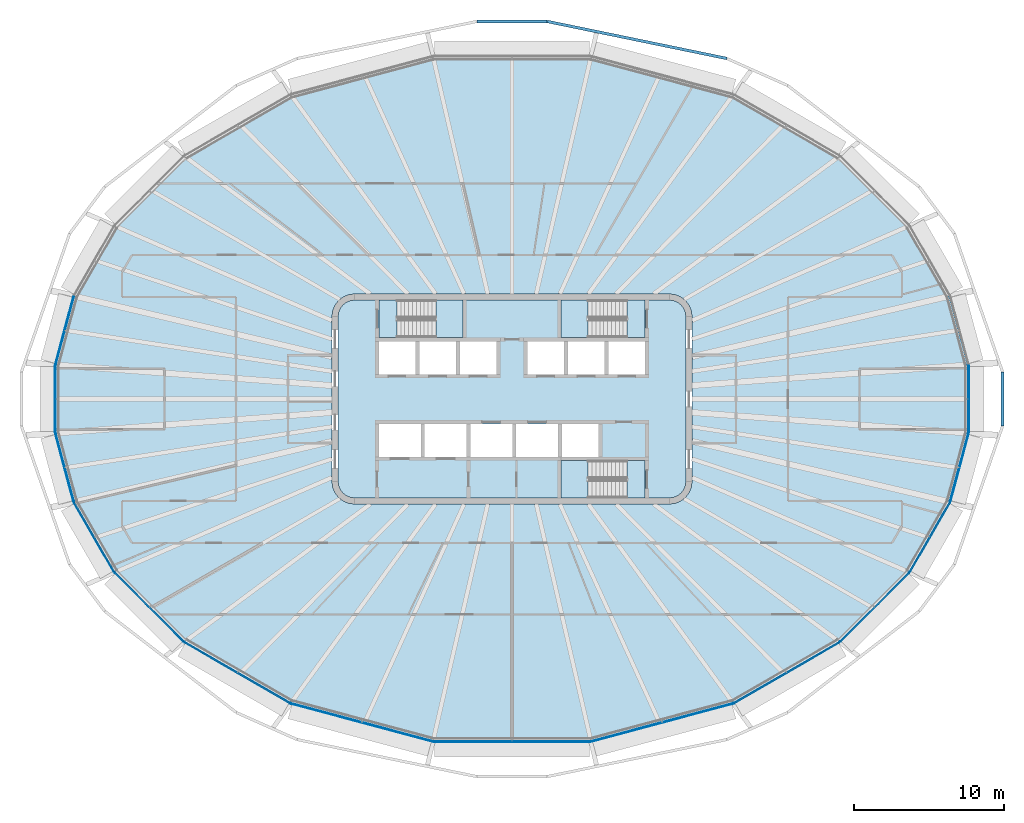
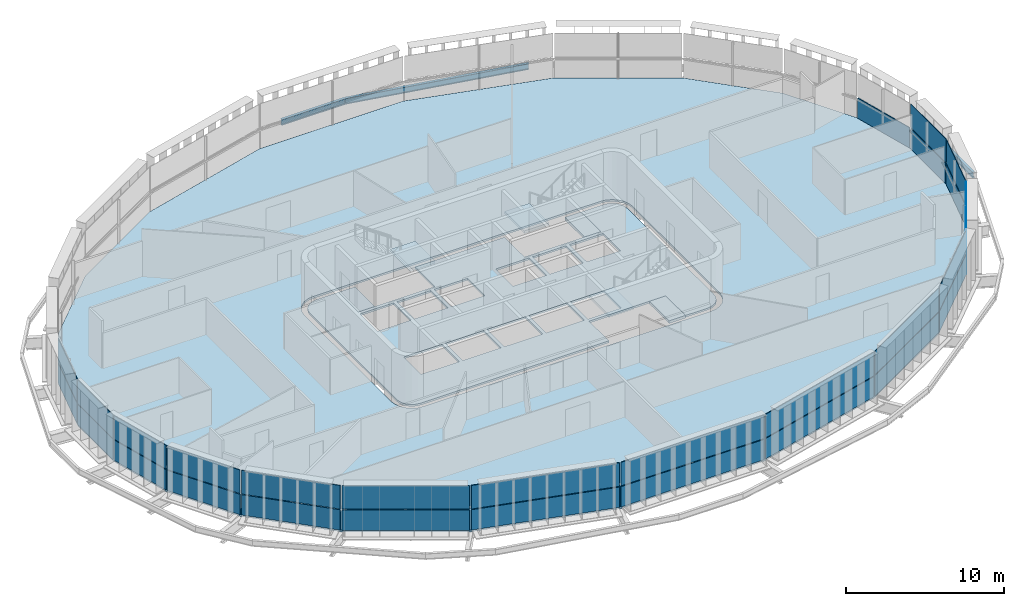
# One storey, part 9 of 20: 29 plates, 8 slabs, 3 beams, 18 elements without a shape of their own.
"""IFC4 building model written with IfcOpenShell, lengths in metres."""

from ifc_helpers import new_model, si_unit, direction, frame, origin, origin_2d, place, context, subcontext, project, spatial, polyline, i_section, outline, extrude, material, layer, layer_set, material_profile, profile_set, type_object, element, aggregate, save


model = new_model("IFC4")

# Units and contexts
model_context = context("Model", 3, precision=1e-05, world=origin(), true_north=direction((0.0, 1.0)))
body_context = subcontext(model_context, "Body", "Model", "MODEL_VIEW")
ifc_project = project(units=[si_unit("LENGTHUNIT", "METRE"), si_unit("AREAUNIT", "SQUARE_METRE"), si_unit("VOLUMEUNIT", "CUBIC_METRE"), si_unit("PLANEANGLEUNIT", "RADIAN"), si_unit("MASSUNIT", "GRAM", prefix="KILO")], contexts=[model_context])

# Site, building, storey
site_placement = place(None, origin())
site = spatial("IfcSite", under=ifc_project, at=site_placement, CompositionType="ELEMENT")
building_placement = place(site_placement, origin())
building = spatial("IfcBuilding", under=site, at=building_placement, Name="Sahrelin Media Tower", CompositionType="ELEMENT")
storey_placement = place(building_placement, frame((0.0, 0.0, 245.60009765625)))
storey = spatial("IfcBuildingStorey", under=building, at=storey_placement, Name="L53", CompositionType="ELEMENT", Elevation=245.60009765625)

# Beams
ifc_material_1 = material(Name="Steel S355", Category="steel")
ifc_material_profile = material_profile(ifc_material_1, i_section(OverallWidth=0.1904296875, OverallDepth=0.45703125, WebThickness=0.009033203125, FlangeThickness=0.014404296875, FilletRadius=0.01025390625, at=origin_2d()), Name="UB 457x191x74")
ifc_profile_set = profile_set([ifc_material_profile], Name="Steel S355")
beam_type = type_object("IfcBeamType", Name="Tie chord TC5", PredefinedType="BEAM", material=ifc_profile_set)
beam_1_placement = place(storey_placement, frame((14.3251953125, 22.700439453125, -0.378662109375), z_axis=(-0.979389071905, 0.201982785984, 0.0), x_axis=(-0.201982785984, -0.979389071905, 0.0)))
element("IfcBeam", 1, at=beam_1_placement, inside=storey, type_object=beam_type, Name="Tie chord L53-05", PredefinedType="BEAM", context=body_context, shape_type="SweptSolid", body=[
    extrude(i_section(OverallWidth=0.1904296875, OverallDepth=0.45703125, WebThickness=0.009033203125, FlangeThickness=0.014404296875, FilletRadius=0.01025390625, at=origin_2d()), origin(), (0.0, 0.0, 1.0), 12.237060546875),
])
beam_2_placement = place(storey_placement, frame((2.34033203125, 25.172119140625, -0.378662109375), z_axis=(-1.0, 0.0, 0.0), x_axis=(0.0, -1.0, 0.0)))
element("IfcBeam", 2, at=beam_2_placement, inside=storey, type_object=beam_type, Name="Tie chord L53-06", PredefinedType="BEAM", context=body_context, shape_type="SweptSolid", body=[
    extrude(i_section(OverallWidth=0.1904296875, OverallDepth=0.45703125, WebThickness=0.009033203125, FlangeThickness=0.014404296875, FilletRadius=0.01025390625, at=origin_2d()), origin(), (0.0, 0.0, 1.0), 4.6806640625),
])
beam_3_placement = place(storey_placement, frame((32.7041015625, -1.801513671875, -0.378662109375), z_axis=(0.0, 1.0, 0.0), x_axis=(-1.0, 0.0, 0.0)))
element("IfcBeam", 3, at=beam_3_placement, inside=storey, type_object=beam_type, Name="Tie chord L53-24", PredefinedType="BEAM", context=body_context, shape_type="SweptSolid", body=[
    extrude(i_section(OverallWidth=0.1904296875, OverallDepth=0.45703125, WebThickness=0.009033203125, FlangeThickness=0.014404296875, FilletRadius=0.01025390625, at=origin_2d()), origin(), (0.0, 0.0, 1.0), 3.60302734375),
])

# Slabs
ifc_material_2 = material(Name="Concrete C40/50", Category="concrete")
ifc_layer_1 = layer(ifc_material_2, 0.14990234375)
ifc_layer_set_1 = layer_set([ifc_layer_1], Name="Composite floor slab 150")
slab_type_1 = type_object("IfcSlabType", Name="Composite floor slab 150", PredefinedType="FLOOR", material=ifc_layer_set_1)
placement_1 = place(storey_placement, frame((0.0, 0.0, -0.150146484375)))
element("IfcSlab", 4, at=placement_1, inside=storey, type_object=slab_type_1, Name="Floor slab L53", PredefinedType="FLOOR", context=body_context, shape_type="SweptSolid", body=[
    extrude(outline(polyline([(30.429931640625, -2.27197265625), (30.429931640625, 2.27197265625), (29.2001953125, 6.8623046875), (26.495849609375, 11.5458984375), (21.848876953125, 16.19287109375), (14.75439453125, 20.288818359375), (5.270751953125, 22.830078125), (-5.270751953125, 22.830078125), (-14.75439453125, 20.288818359375), (-21.848876953125, 16.19287109375), (-26.495849609375, 11.5458984375), (-29.2001953125, 6.8623046875), (-30.429931640625, 2.27197265625), (-30.429931640625, -2.27197265625), (-29.2001953125, -6.8623046875), (-26.495849609375, -11.5458984375), (-21.848876953125, -16.19287109375), (-14.75439453125, -20.288818359375), (-5.270751953125, -22.830078125), (5.270751953125, -22.830078125), (14.75439453125, -20.288818359375), (21.848876953125, -16.19287109375), (26.495849609375, -11.5458984375), (29.2001953125, -6.8623046875), (30.429931640625, -2.27197265625)]), holes=[polyline([(11.948974609375, 5.88818359375), (12.0, 5.5), (12.0, -5.5), (11.948974609375, -5.88818359375), (11.799072265625, -6.25), (11.560791015625, -6.560791015625), (11.25, -6.799072265625), (10.88818359375, -6.948974609375), (10.5, -7.0), (-10.5, -7.0), (-10.88818359375, -6.948974609375), (-11.25, -6.799072265625), (-11.560791015625, -6.560791015625), (-11.799072265625, -6.25), (-11.948974609375, -5.88818359375), (-12.0, -5.5), (-12.0, 5.5), (-11.948974609375, 5.88818359375), (-11.799072265625, 6.25), (-11.560791015625, 6.560791015625), (-11.25, 6.799072265625), (-10.88818359375, 6.948974609375), (-10.5, 7.0), (10.5, 7.0), (10.88818359375, 6.948974609375), (11.25, 6.799072265625), (11.560791015625, 6.560791015625), (11.799072265625, 6.25), (11.948974609375, 5.88818359375)])]), origin(), (0.0, 0.0, 1.0), 0.150146484375),
])
ifc_layer_2 = layer(ifc_material_2, 0.14990234375)
ifc_layer_set_2 = layer_set([ifc_layer_2], Name="Core floor slab 150")
slab_type_2 = type_object("IfcSlabType", Name="Core floor slab 150", PredefinedType="FLOOR", material=ifc_layer_set_2)
element("IfcSlab", 5, at=placement_1, inside=storey, type_object=slab_type_2, Name="Core floor", PredefinedType="FLOOR", context=body_context, shape_type="SweptSolid", body=[
    extrude(outline(polyline([(-11.60009765625, -5.473876953125), (-11.55908203125, -5.78369140625), (-11.44970703125, -6.04833984375), (-11.275390625, -6.275390625), (-11.04833984375, -6.44970703125), (-10.78369140625, -6.55908203125), (-10.473876953125, -6.60009765625), (3.27490234375, -6.60009765625), (3.27490234375, -4.10009765625), (8.875, -4.10009765625), (8.875, -6.60009765625), (10.473876953125, -6.60009765625), (10.78369140625, -6.55908203125), (11.04833984375, -6.44970703125), (11.275390625, -6.275390625), (11.44970703125, -6.04833984375), (11.55908203125, -5.78369140625), (11.60009765625, -5.473876953125), (11.60009765625, 5.473876953125), (11.55908203125, 5.78369140625), (11.44970703125, 6.04833984375), (11.275390625, 6.275390625), (11.04833984375, 6.44970703125), (10.78369140625, 6.55908203125), (10.473876953125, 6.60009765625), (8.875, 6.60009765625), (8.875, 4.10009765625), (3.27490234375, 4.10009765625), (3.27490234375, 6.60009765625), (-3.27490234375, 6.60009765625), (-3.27490234375, 4.10009765625), (-8.875, 4.10009765625), (-8.875, 6.60009765625), (-10.473876953125, 6.60009765625), (-10.78369140625, 6.55908203125), (-11.04833984375, 6.44970703125), (-11.275390625, 6.275390625), (-11.44970703125, 6.04833984375), (-11.55908203125, 5.78369140625), (-11.60009765625, 5.473876953125), (-11.60009765625, -5.473876953125)]), holes=[polyline([(-8.875, 3.85009765625), (-8.875, 1.64990234375), (-6.425048828125, 1.64990234375), (-6.425048828125, 3.85009765625), (-8.875, 3.85009765625)]), polyline([(-3.72509765625, 3.85009765625), (-6.175048828125, 3.85009765625), (-6.175048828125, 1.64990234375), (-3.72509765625, 1.64990234375), (-3.72509765625, 3.85009765625)]), polyline([(-1.02490234375, 1.64990234375), (-1.02490234375, 3.85009765625), (-3.47509765625, 3.85009765625), (-3.47509765625, 1.64990234375), (-1.02490234375, 1.64990234375)]), polyline([(1.02490234375, 1.64990234375), (3.47509765625, 1.64990234375), (3.47509765625, 3.85009765625), (1.02490234375, 3.85009765625), (1.02490234375, 1.64990234375)]), polyline([(3.72509765625, 3.85009765625), (3.72509765625, 1.64990234375), (6.175048828125, 1.64990234375), (6.175048828125, 3.85009765625), (3.72509765625, 3.85009765625)]), polyline([(8.875, 3.85009765625), (6.425048828125, 3.85009765625), (6.425048828125, 1.64990234375), (8.875, 1.64990234375), (8.875, 3.85009765625)]), polyline([(-6.074951171875, -3.85009765625), (-6.074951171875, -1.64990234375), (-8.875, -1.64990234375), (-8.875, -3.85009765625), (-6.074951171875, -3.85009765625)]), polyline([(-5.824951171875, -3.85009765625), (-3.02490234375, -3.85009765625), (-3.02490234375, -1.64990234375), (-5.824951171875, -1.64990234375), (-5.824951171875, -3.85009765625)]), polyline([(-2.77490234375, -1.64990234375), (-2.77490234375, -3.85009765625), (0.02490234375, -3.85009765625), (0.02490234375, -1.64990234375), (-2.77490234375, -1.64990234375)]), polyline([(3.074951171875, -1.64990234375), (0.27490234375, -1.64990234375), (0.27490234375, -3.85009765625), (3.074951171875, -3.85009765625), (3.074951171875, -1.64990234375)]), polyline([(5.77490234375, -3.85009765625), (5.77490234375, -1.64990234375), (3.324951171875, -1.64990234375), (3.324951171875, -3.85009765625), (5.77490234375, -3.85009765625)])]), origin(), (0.0, 0.0, 1.0), 0.150146484375),
])

# Curtain wall, plate
ifc_material_3 = material(Name="Champagne anodised aluminium 6063-T6", Category="aluminium")
ifc_layer_3 = layer(ifc_material_3, 0.14990234375)
ifc_layer_set_3 = layer_set([ifc_layer_3], Name="Tower ribbon curtain wall")
curtain_wall_type = type_object("IfcCurtainWallType", Name="Tower ribbon curtain wall", PredefinedType="NOTDEFINED", material=ifc_layer_set_3)
curtain_wall_1_placement = place(storey_placement, frame((30.449951171875, 0.0, 0.0), z_axis=(0.0, 0.0, 1.0), x_axis=(1.0, 0.0, 0.0)))
curtain_wall_1 = element("IfcCurtainWall", 6, at=curtain_wall_1_placement, inside=storey, type_object=curtain_wall_type, Name="L53:CW:L53-00", PredefinedType="NOTDEFINED")
ifc_material_4 = material(Name="Clear low-iron glazing", Category="glass")
ifc_layer_4 = layer(ifc_material_4, 0.0439453125)
ifc_layer_set_4 = layer_set([ifc_layer_4], Name="Glazing panel 44 mm CW1B")
plate_type_1 = type_object("IfcPlateType", Name="Glazing panel 44 mm CW1B", PredefinedType="CURTAIN_PANEL", material=ifc_layer_set_4)
plate_1_placement = place(storey_placement, frame((30.469970703125, -2.224609375, 1.6298828125), z_axis=(1.0, 0.0, 0.0), x_axis=(0.0, 1.0, 0.0)))
plate_1 = element("IfcPlate", 7, at=plate_1_placement, type_object=plate_type_1, Name="L53:CWP2:L53-00", PredefinedType="CURTAIN_PANEL", context=body_context, shape_type="SweptSolid", body=[
    extrude(outline(polyline([(0.0, 0.0), (4.44921875, 0.0), (4.44921875, 1.818603515625), (0.0, 1.818603515625), (0.0, 0.0)])), origin(), (0.0, 0.0, -1.0), 0.0439453125),
])

curtain_wall_2_placement = place(storey_placement, frame((-29.83447265625, 4.572265625, 0.0), z_axis=(0.0, 0.0, 1.0), x_axis=(1.0, 0.0, 0.0)))
curtain_wall_2 = element("IfcCurtainWall", 8, at=curtain_wall_2_placement, inside=storey, type_object=curtain_wall_type, Name="L53:CW:L53-11", PredefinedType="NOTDEFINED")
plate_2_placement = place(storey_placement, frame((-29.2509765625, 6.826904296875, 1.6298828125), z_axis=(-0.965935885882, 0.258781499273, 0.0), x_axis=(-0.258781499273, -0.965935885882, 0.0)))
plate_2 = element("IfcPlate", 9, at=plate_2_placement, type_object=plate_type_1, Name="L53:CWP2:L53-11", PredefinedType="CURTAIN_PANEL", context=body_context, shape_type="SweptSolid", body=[
    extrude(outline(polyline([(0.0, 0.0), (4.65771484375, 0.0), (4.65771484375, 1.818603515625), (0.0, 1.818603515625), (0.0, 0.0)])), origin(), (0.0, 0.0, -1.0), 0.0439453125),
])

curtain_wall_3_placement = place(storey_placement, frame((-30.449951171875, 0.0, 0.0), z_axis=(0.0, 0.0, 1.0), x_axis=(1.0, 0.0, 0.0)))
curtain_wall_3 = element("IfcCurtainWall", 10, at=curtain_wall_3_placement, inside=storey, type_object=curtain_wall_type, Name="L53:CW:L53-12", PredefinedType="NOTDEFINED")
plate_3_placement = place(storey_placement, frame((-30.469970703125, 2.224609375, 1.6298828125), z_axis=(-1.0, 0.0, 0.0), x_axis=(0.0, -1.0, 0.0)))
plate_3 = element("IfcPlate", 11, at=plate_3_placement, type_object=plate_type_1, Name="L53:CWP2:L53-12", PredefinedType="CURTAIN_PANEL", context=body_context, shape_type="SweptSolid", body=[
    extrude(outline(polyline([(0.0, 0.0), (4.44921875, 0.0), (4.44921875, 1.818603515625), (0.0, 1.818603515625), (0.0, 0.0)])), origin(), (0.0, 0.0, -1.0), 0.0439453125),
])

curtain_wall_4_placement = place(storey_placement, frame((-29.834228515625, -4.572265625, 0.0), z_axis=(0.0, 0.0, 1.0), x_axis=(1.0, 0.0, 0.0)))
curtain_wall_4 = element("IfcCurtainWall", 12, at=curtain_wall_4_placement, inside=storey, type_object=curtain_wall_type, Name="L53:CW:L53-13", PredefinedType="NOTDEFINED")
plate_4_placement = place(storey_placement, frame((-30.456298828125, -2.327880859375, 1.6298828125), z_axis=(-0.965935885882, -0.258781499273, 0.0), x_axis=(0.258781499273, -0.965935885882, 0.0)))
plate_4 = element("IfcPlate", 13, at=plate_4_placement, type_object=plate_type_1, Name="L53:CWP2:L53-13", PredefinedType="CURTAIN_PANEL", context=body_context, shape_type="SweptSolid", body=[
    extrude(outline(polyline([(0.0, 0.0), (4.65771484375, 0.0), (4.65771484375, 1.818603515625), (0.0, 1.818603515625), (0.0, 0.0)])), origin(), (0.0, 0.0, -1.0), 0.0439453125),
])

curtain_wall_5_placement = place(storey_placement, frame((-27.865234375, -9.214111328125, 0.0), z_axis=(0.0, 0.0, 1.0), x_axis=(1.0, 0.0, 0.0)))
curtain_wall_5 = element("IfcCurtainWall", 14, at=curtain_wall_5_placement, inside=storey, type_object=curtain_wall_type, Name="L53:CW:L53-14", PredefinedType="NOTDEFINED")
plate_5_placement = place(storey_placement, frame((-29.2109375, -6.923095703125, 1.6298828125), z_axis=(-0.866034858292, -0.499983623955, 0.0), x_axis=(0.499983623955, -0.866034858292, 0.0)))
plate_5 = element("IfcPlate", 15, at=plate_5_placement, type_object=plate_type_1, Name="L53:CWP2:L53-14", PredefinedType="CURTAIN_PANEL", context=body_context, shape_type="SweptSolid", body=[
    extrude(outline(polyline([(0.0, 0.0), (5.313720703125, 0.0), (5.313720703125, 1.818603515625), (0.0, 1.818603515625), (0.0, 0.0)])), origin(), (0.0, 0.0, -1.0), 0.0439453125),
])

curtain_wall_6_placement = place(storey_placement, frame((-24.1865234375, -13.88330078125, 0.0), z_axis=(0.0, 0.0, 1.0), x_axis=(1.0, 0.0, 0.0)))
curtain_wall_6 = element("IfcCurtainWall", 16, at=curtain_wall_6_placement, inside=storey, type_object=curtain_wall_type, Name="L53:CW:L53-15", PredefinedType="NOTDEFINED")
plate_6_placement = place(storey_placement, frame((-26.49072265625, -11.607666015625, 1.6298828125), z_axis=(-0.707087934304, -0.707125627567, 0.0), x_axis=(0.707125627567, -0.707087934304, 0.0)))
plate_6 = element("IfcPlate", 17, at=plate_6_placement, type_object=plate_type_1, Name="L53:CWP2:L53-15", PredefinedType="CURTAIN_PANEL", context=body_context, shape_type="SweptSolid", body=[
    extrude(outline(polyline([(0.0, 0.0), (6.47705078125, 0.0), (6.47705078125, 1.818603515625), (0.0, 1.818603515625), (0.0, 0.0)])), origin(), (0.0, 0.0, -1.0), 0.0439453125),
])

curtain_wall_7_placement = place(storey_placement, frame((-18.3115234375, -18.25830078125, 0.0), z_axis=(0.0, 0.0, 1.0), x_axis=(1.0, 0.0, 0.0)))
curtain_wall_7 = element("IfcCurtainWall", 18, at=curtain_wall_7_placement, inside=storey, type_object=curtain_wall_type, Name="L53:CW:L53-16", PredefinedType="NOTDEFINED")
plate_7_placement = place(storey_placement, frame((-21.827880859375, -16.251220703125, 1.6298828125), z_axis=(-0.499981703231, -0.866035967171, 0.0), x_axis=(0.866035967171, -0.499981703231, 0.0)))
plate_7 = element("IfcPlate", 19, at=plate_7_placement, type_object=plate_type_1, Name="L53:CWP2:L53-16", PredefinedType="CURTAIN_PANEL", context=body_context, shape_type="SweptSolid", body=[
    extrude(outline(polyline([(0.0, 0.0), (8.097412109375, 0.0), (8.097412109375, 1.818603515625), (0.0, 1.818603515625), (0.0, 0.0)])), origin(), (0.0, 0.0, -1.0), 0.0439453125),
])

curtain_wall_8_placement = place(storey_placement, frame((-10.017578125, -21.57861328125, 0.0), z_axis=(0.0, 0.0, 1.0), x_axis=(1.0, 0.0, 0.0)))
curtain_wall_8 = element("IfcCurtainWall", 20, at=curtain_wall_8_placement, inside=storey, type_object=curtain_wall_type, Name="L53:CW:L53-17", PredefinedType="NOTDEFINED")
plate_8_placement = place(storey_placement, frame((-14.718994140625, -20.33984375, 1.6298828125), z_axis=(-0.25881891783, -0.965925860392, 0.0), x_axis=(0.965925860392, -0.25881891783, 0.0)))
plate_8 = element("IfcPlate", 21, at=plate_8_placement, type_object=plate_type_1, Name="L53:CWP2:L53-17", PredefinedType="CURTAIN_PANEL", context=body_context, shape_type="SweptSolid", body=[
    extrude(outline(polyline([(0.0, 0.0), (9.723388671875, 0.0), (9.723388671875, 1.818603515625), (0.0, 1.818603515625), (0.0, 0.0)])), origin(), (0.0, 0.0, -1.0), 0.0439453125),
])

curtain_wall_9_placement = place(storey_placement, frame((0.0, -22.85009765625, 0.0), z_axis=(0.0, 0.0, 1.0), x_axis=(1.0, 0.0, 0.0)))
curtain_wall_9 = element("IfcCurtainWall", 22, at=curtain_wall_9_placement, inside=storey, type_object=curtain_wall_type, Name="L53:CW:L53-18", PredefinedType="NOTDEFINED")
plate_9_placement = place(storey_placement, frame((-5.223388671875, -22.8701171875, 1.6298828125), z_axis=(0.0, -1.0, 0.0), x_axis=(1.0, 0.0, 0.0)))
plate_9 = element("IfcPlate", 23, at=plate_9_placement, type_object=plate_type_1, Name="L53:CWP2:L53-18", PredefinedType="CURTAIN_PANEL", context=body_context, shape_type="SweptSolid", body=[
    extrude(outline(polyline([(0.0, 0.0), (10.44677734375, 0.0), (10.44677734375, 1.818603515625), (0.0, 1.818603515625), (0.0, 0.0)])), origin(), (0.0, 0.0, -1.0), 0.0439453125),
])

curtain_wall_10_placement = place(storey_placement, frame((10.017578125, -21.578857421875, 0.0), z_axis=(0.0, 0.0, 1.0), x_axis=(1.0, 0.0, 0.0)))
curtain_wall_10 = element("IfcCurtainWall", 24, at=curtain_wall_10_placement, inside=storey, type_object=curtain_wall_type, Name="L53:CW:L53-19", PredefinedType="NOTDEFINED")
plate_10_placement = place(storey_placement, frame((5.326904296875, -22.8564453125, 1.6298828125), z_axis=(0.25881891783, -0.965925860392, 0.0), x_axis=(0.965925860392, 0.25881891783, 0.0)))
plate_10 = element("IfcPlate", 25, at=plate_10_placement, type_object=plate_type_1, Name="L53:CWP2:L53-19", PredefinedType="CURTAIN_PANEL", context=body_context, shape_type="SweptSolid", body=[
    extrude(outline(polyline([(0.0, 0.0), (9.723388671875, 0.0), (9.723388671875, 1.818603515625), (0.0, 1.818603515625), (0.0, 0.0)])), origin(), (0.0, 0.0, -1.0), 0.0439453125),
])

curtain_wall_11_placement = place(storey_placement, frame((18.3115234375, -18.258056640625, 0.0), z_axis=(0.0, 0.0, 1.0), x_axis=(1.0, 0.0, 0.0)))
curtain_wall_11 = element("IfcCurtainWall", 26, at=curtain_wall_11_placement, inside=storey, type_object=curtain_wall_type, Name="L53:CW:L53-20", PredefinedType="NOTDEFINED")
plate_11_placement = place(storey_placement, frame((14.815185546875, -20.2998046875, 1.6298828125), z_axis=(0.499981703231, -0.866035967171, 0.0), x_axis=(0.866035967171, 0.499981703231, 0.0)))
plate_11 = element("IfcPlate", 27, at=plate_11_placement, type_object=plate_type_1, Name="L53:CWP2:L53-20", PredefinedType="CURTAIN_PANEL", context=body_context, shape_type="SweptSolid", body=[
    extrude(outline(polyline([(0.0, 0.0), (8.097412109375, 0.0), (8.097412109375, 1.818603515625), (0.0, 1.818603515625), (0.0, 0.0)])), origin(), (0.0, 0.0, -1.0), 0.0439453125),
])

curtain_wall_12_placement = place(storey_placement, frame((24.1865234375, -13.883544921875, 0.0), z_axis=(0.0, 0.0, 1.0), x_axis=(1.0, 0.0, 0.0)))
curtain_wall_12 = element("IfcCurtainWall", 28, at=curtain_wall_12_placement, inside=storey, type_object=curtain_wall_type, Name="L53:CW:L53-21", PredefinedType="NOTDEFINED")
plate_12_placement = place(storey_placement, frame((21.91064453125, -16.1875, 1.6298828125), z_axis=(0.707087934304, -0.707125627567, 0.0), x_axis=(0.707125627567, 0.707087934304, 0.0)))
plate_12 = element("IfcPlate", 29, at=plate_12_placement, type_object=plate_type_1, Name="L53:CWP2:L53-21", PredefinedType="CURTAIN_PANEL", context=body_context, shape_type="SweptSolid", body=[
    extrude(outline(polyline([(0.0, 0.0), (6.47705078125, 0.0), (6.47705078125, 1.818603515625), (0.0, 1.818603515625), (0.0, 0.0)])), origin(), (0.0, 0.0, -1.0), 0.0439453125),
])

curtain_wall_13_placement = place(storey_placement, frame((27.865234375, -9.214111328125, 0.0), z_axis=(0.0, 0.0, 1.0), x_axis=(1.0, 0.0, 0.0)))
curtain_wall_13 = element("IfcCurtainWall", 30, at=curtain_wall_13_placement, inside=storey, type_object=curtain_wall_type, Name="L53:CW:L53-22", PredefinedType="NOTDEFINED")
plate_13_placement = place(storey_placement, frame((26.55419921875, -11.52490234375, 1.6298828125), z_axis=(0.866034858292, -0.499983623955, 0.0), x_axis=(0.499983623955, 0.866034858292, 0.0)))
plate_13 = element("IfcPlate", 31, at=plate_13_placement, type_object=plate_type_1, Name="L53:CWP2:L53-22", PredefinedType="CURTAIN_PANEL", context=body_context, shape_type="SweptSolid", body=[
    extrude(outline(polyline([(0.0, 0.0), (5.313720703125, 0.0), (5.313720703125, 1.818603515625), (0.0, 1.818603515625), (0.0, 0.0)])), origin(), (0.0, 0.0, -1.0), 0.0439453125),
])

curtain_wall_14_placement = place(storey_placement, frame((29.83447265625, -4.572265625, 0.0), z_axis=(0.0, 0.0, 1.0), x_axis=(1.0, 0.0, 0.0)))
curtain_wall_14 = element("IfcCurtainWall", 32, at=curtain_wall_14_placement, inside=storey, type_object=curtain_wall_type, Name="L53:CW:L53-23", PredefinedType="NOTDEFINED")
plate_14_placement = place(storey_placement, frame((29.2509765625, -6.826904296875, 1.6298828125), z_axis=(0.965935885882, -0.258781499273, 0.0), x_axis=(0.258781499273, 0.965935885882, 0.0)))
plate_14 = element("IfcPlate", 33, at=plate_14_placement, type_object=plate_type_1, Name="L53:CWP2:L53-23", PredefinedType="CURTAIN_PANEL", context=body_context, shape_type="SweptSolid", body=[
    extrude(outline(polyline([(0.0, 0.0), (4.65771484375, 0.0), (4.65771484375, 1.818603515625), (0.0, 1.818603515625), (0.0, 0.0)])), origin(), (0.0, 0.0, -1.0), 0.0439453125),
])

# Plate
ifc_material_5 = material(Name="Insulated spandrel panel")
ifc_layer_5 = layer(ifc_material_5, 0.06005859375)
ifc_layer_set_5 = layer_set([ifc_layer_5], Name="Spandrel panel 60 mm CW1")
plate_type_2 = type_object("IfcPlateType", Name="Spandrel panel 60 mm CW1", PredefinedType="SHEET", material=ifc_layer_set_5)
plate_15_placement = place(storey_placement, frame((30.469970703125, -2.224609375, 0.0), z_axis=(1.0, 0.0, 0.0), x_axis=(0.0, 1.0, 0.0)))
plate_15 = element("IfcPlate", 34, at=plate_15_placement, type_object=plate_type_2, Name="L53:CWP1:L53-00", PredefinedType="SHEET", context=body_context, shape_type="SweptSolid", body=[
    extrude(outline(polyline([(0.0, 0.0), (4.44921875, 0.0), (4.44921875, 1.56982421875), (0.0, 1.56982421875), (0.0, 0.0)])), origin(), (0.0, 0.0, -1.0), 0.06005859375),
])

aggregate(curtain_wall_1, [plate_15, plate_1])

# Curtain wall, plate
curtain_wall_15_placement = place(storey_placement, frame((29.834228515625, 4.572265625, 0.0), z_axis=(0.0, 0.0, 1.0), x_axis=(1.0, 0.0, 0.0)))
curtain_wall_15 = element("IfcCurtainWall", 35, at=curtain_wall_15_placement, inside=storey, type_object=curtain_wall_type, Name="L53:CW:L53-01", PredefinedType="NOTDEFINED")
plate_16_placement = place(storey_placement, frame((30.456298828125, 2.327880859375, 0.0), z_axis=(0.965935885882, 0.258781499273, 0.0), x_axis=(-0.258781499273, 0.965935885882, 0.0)))
plate_16 = element("IfcPlate", 36, at=plate_16_placement, type_object=plate_type_2, Name="L53:CWP1:L53-01", PredefinedType="SHEET", context=body_context, shape_type="SweptSolid", body=[
    extrude(outline(polyline([(0.0, 0.0), (4.65771484375, 0.0), (4.65771484375, 1.56982421875), (0.0, 1.56982421875), (0.0, 0.0)])), origin(), (0.0, 0.0, -1.0), 0.06005859375),
])
aggregate(curtain_wall_15, [plate_16])

# Plate
plate_17_placement = place(storey_placement, frame((-29.2509765625, 6.826904296875, 0.0), z_axis=(-0.965935885882, 0.258781499273, 0.0), x_axis=(-0.258781499273, -0.965935885882, 0.0)))
plate_17 = element("IfcPlate", 37, at=plate_17_placement, type_object=plate_type_2, Name="L53:CWP1:L53-11", PredefinedType="SHEET", context=body_context, shape_type="SweptSolid", body=[
    extrude(outline(polyline([(0.0, 0.0), (4.65771484375, 0.0), (4.65771484375, 1.56982421875), (0.0, 1.56982421875), (0.0, 0.0)])), origin(), (0.0, 0.0, -1.0), 0.06005859375),
])

aggregate(curtain_wall_2, [plate_17, plate_2])

plate_18_placement = place(storey_placement, frame((-30.469970703125, 2.224609375, 0.0), z_axis=(-1.0, 0.0, 0.0), x_axis=(0.0, -1.0, 0.0)))
plate_18 = element("IfcPlate", 38, at=plate_18_placement, type_object=plate_type_2, Name="L53:CWP1:L53-12", PredefinedType="SHEET", context=body_context, shape_type="SweptSolid", body=[
    extrude(outline(polyline([(0.0, 0.0), (4.44921875, 0.0), (4.44921875, 1.56982421875), (0.0, 1.56982421875), (0.0, 0.0)])), origin(), (0.0, 0.0, -1.0), 0.06005859375),
])

aggregate(curtain_wall_3, [plate_18, plate_3])

plate_19_placement = place(storey_placement, frame((-30.456298828125, -2.327880859375, 0.0), z_axis=(-0.965935885882, -0.258781499273, 0.0), x_axis=(0.258781499273, -0.965935885882, 0.0)))
plate_19 = element("IfcPlate", 39, at=plate_19_placement, type_object=plate_type_2, Name="L53:CWP1:L53-13", PredefinedType="SHEET", context=body_context, shape_type="SweptSolid", body=[
    extrude(outline(polyline([(0.0, 0.0), (4.65771484375, 0.0), (4.65771484375, 1.56982421875), (0.0, 1.56982421875), (0.0, 0.0)])), origin(), (0.0, 0.0, -1.0), 0.06005859375),
])

aggregate(curtain_wall_4, [plate_19, plate_4])

plate_20_placement = place(storey_placement, frame((-29.2109375, -6.923095703125, 0.0), z_axis=(-0.866034858292, -0.499983623955, 0.0), x_axis=(0.499983623955, -0.866034858292, 0.0)))
plate_20 = element("IfcPlate", 40, at=plate_20_placement, type_object=plate_type_2, Name="L53:CWP1:L53-14", PredefinedType="SHEET", context=body_context, shape_type="SweptSolid", body=[
    extrude(outline(polyline([(0.0, 0.0), (5.313720703125, 0.0), (5.313720703125, 1.56982421875), (0.0, 1.56982421875), (0.0, 0.0)])), origin(), (0.0, 0.0, -1.0), 0.06005859375),
])

aggregate(curtain_wall_5, [plate_20, plate_5])

plate_21_placement = place(storey_placement, frame((-26.49072265625, -11.607666015625, 0.0), z_axis=(-0.707087934304, -0.707125627567, 0.0), x_axis=(0.707125627567, -0.707087934304, 0.0)))
plate_21 = element("IfcPlate", 41, at=plate_21_placement, type_object=plate_type_2, Name="L53:CWP1:L53-15", PredefinedType="SHEET", context=body_context, shape_type="SweptSolid", body=[
    extrude(outline(polyline([(0.0, 0.0), (6.47705078125, 0.0), (6.47705078125, 1.56982421875), (0.0, 1.56982421875), (0.0, 0.0)])), origin(), (0.0, 0.0, -1.0), 0.06005859375),
])

aggregate(curtain_wall_6, [plate_21, plate_6])

plate_22_placement = place(storey_placement, frame((-21.827880859375, -16.251220703125, 0.0), z_axis=(-0.499981703231, -0.866035967171, 0.0), x_axis=(0.866035967171, -0.499981703231, 0.0)))
plate_22 = element("IfcPlate", 42, at=plate_22_placement, type_object=plate_type_2, Name="L53:CWP1:L53-16", PredefinedType="SHEET", context=body_context, shape_type="SweptSolid", body=[
    extrude(outline(polyline([(0.0, 0.0), (8.097412109375, 0.0), (8.097412109375, 1.56982421875), (0.0, 1.56982421875), (0.0, 0.0)])), origin(), (0.0, 0.0, -1.0), 0.06005859375),
])

aggregate(curtain_wall_7, [plate_22, plate_7])

plate_23_placement = place(storey_placement, frame((-14.718994140625, -20.33984375, 0.0), z_axis=(-0.25881891783, -0.965925860392, 0.0), x_axis=(0.965925860392, -0.25881891783, 0.0)))
plate_23 = element("IfcPlate", 43, at=plate_23_placement, type_object=plate_type_2, Name="L53:CWP1:L53-17", PredefinedType="SHEET", context=body_context, shape_type="SweptSolid", body=[
    extrude(outline(polyline([(0.0, 0.0), (9.723388671875, 0.0), (9.723388671875, 1.56982421875), (0.0, 1.56982421875), (0.0, 0.0)])), origin(), (0.0, 0.0, -1.0), 0.06005859375),
])

aggregate(curtain_wall_8, [plate_23, plate_8])

plate_24_placement = place(storey_placement, frame((-5.223388671875, -22.8701171875, 0.0), z_axis=(0.0, -1.0, 0.0), x_axis=(1.0, 0.0, 0.0)))
plate_24 = element("IfcPlate", 44, at=plate_24_placement, type_object=plate_type_2, Name="L53:CWP1:L53-18", PredefinedType="SHEET", context=body_context, shape_type="SweptSolid", body=[
    extrude(outline(polyline([(0.0, 0.0), (10.44677734375, 0.0), (10.44677734375, 1.56982421875), (0.0, 1.56982421875), (0.0, 0.0)])), origin(), (0.0, 0.0, -1.0), 0.06005859375),
])

aggregate(curtain_wall_9, [plate_24, plate_9])

plate_25_placement = place(storey_placement, frame((5.326904296875, -22.8564453125, 0.0), z_axis=(0.25881891783, -0.965925860392, 0.0), x_axis=(0.965925860392, 0.25881891783, 0.0)))
plate_25 = element("IfcPlate", 45, at=plate_25_placement, type_object=plate_type_2, Name="L53:CWP1:L53-19", PredefinedType="SHEET", context=body_context, shape_type="SweptSolid", body=[
    extrude(outline(polyline([(0.0, 0.0), (9.723388671875, 0.0), (9.723388671875, 1.56982421875), (0.0, 1.56982421875), (0.0, 0.0)])), origin(), (0.0, 0.0, -1.0), 0.06005859375),
])

aggregate(curtain_wall_10, [plate_25, plate_10])

plate_26_placement = place(storey_placement, frame((14.815185546875, -20.2998046875, 0.0), z_axis=(0.499981703231, -0.866035967171, 0.0), x_axis=(0.866035967171, 0.499981703231, 0.0)))
plate_26 = element("IfcPlate", 46, at=plate_26_placement, type_object=plate_type_2, Name="L53:CWP1:L53-20", PredefinedType="SHEET", context=body_context, shape_type="SweptSolid", body=[
    extrude(outline(polyline([(0.0, 0.0), (8.097412109375, 0.0), (8.097412109375, 1.56982421875), (0.0, 1.56982421875), (0.0, 0.0)])), origin(), (0.0, 0.0, -1.0), 0.06005859375),
])

aggregate(curtain_wall_11, [plate_26, plate_11])

plate_27_placement = place(storey_placement, frame((21.91064453125, -16.1875, 0.0), z_axis=(0.707087934304, -0.707125627567, 0.0), x_axis=(0.707125627567, 0.707087934304, 0.0)))
plate_27 = element("IfcPlate", 47, at=plate_27_placement, type_object=plate_type_2, Name="L53:CWP1:L53-21", PredefinedType="SHEET", context=body_context, shape_type="SweptSolid", body=[
    extrude(outline(polyline([(0.0, 0.0), (6.47705078125, 0.0), (6.47705078125, 1.56982421875), (0.0, 1.56982421875), (0.0, 0.0)])), origin(), (0.0, 0.0, -1.0), 0.06005859375),
])

aggregate(curtain_wall_12, [plate_27, plate_12])

plate_28_placement = place(storey_placement, frame((26.55419921875, -11.52490234375, 0.0), z_axis=(0.866034858292, -0.499983623955, 0.0), x_axis=(0.499983623955, 0.866034858292, 0.0)))
plate_28 = element("IfcPlate", 48, at=plate_28_placement, type_object=plate_type_2, Name="L53:CWP1:L53-22", PredefinedType="SHEET", context=body_context, shape_type="SweptSolid", body=[
    extrude(outline(polyline([(0.0, 0.0), (5.313720703125, 0.0), (5.313720703125, 1.56982421875), (0.0, 1.56982421875), (0.0, 0.0)])), origin(), (0.0, 0.0, -1.0), 0.06005859375),
])

aggregate(curtain_wall_13, [plate_28, plate_13])

plate_29_placement = place(storey_placement, frame((29.2509765625, -6.826904296875, 0.0), z_axis=(0.965935885882, -0.258781499273, 0.0), x_axis=(0.258781499273, 0.965935885882, 0.0)))
plate_29 = element("IfcPlate", 49, at=plate_29_placement, type_object=plate_type_2, Name="L53:CWP1:L53-23", PredefinedType="SHEET", context=body_context, shape_type="SweptSolid", body=[
    extrude(outline(polyline([(0.0, 0.0), (4.65771484375, 0.0), (4.65771484375, 1.56982421875), (0.0, 1.56982421875), (0.0, 0.0)])), origin(), (0.0, 0.0, -1.0), 0.06005859375),
])

aggregate(curtain_wall_14, [plate_29, plate_14])

# Stair, slabs
stair_type = type_object("IfcStairType", Name="Exit stair 1200", PredefinedType="HALF_TURN_STAIR", material=ifc_material_2)
placement_2 = place(storey_placement, origin())
stair_1 = element("IfcStair", 50, at=placement_2, inside=storey, type_object=stair_type, Name="L53 Exit stair ST1", PredefinedType="HALF_TURN_STAIR")
ifc_layer_6 = layer(ifc_material_2, 0.199951171875)
ifc_layer_set_6 = layer_set([ifc_layer_6], Name="Stair landing 200")
slab_type_3 = type_object("IfcSlabType", Name="Stair landing 200", PredefinedType="LANDING", material=ifc_layer_set_6)
placement_3 = place(storey_placement, frame((0.0, 0.0, 1.7998046875)))
slab_3 = element("IfcSlab", 51, at=placement_3, type_object=slab_type_3, Name="ST1 landing 1", PredefinedType="LANDING", context=body_context, shape_type="SweptSolid", body=[
    extrude(outline(polyline([(-5.074951171875, 4.10009765625), (-3.27490234375, 4.10009765625), (-3.27490234375, 6.60009765625), (-5.074951171875, 6.60009765625), (-5.074951171875, 4.10009765625)])), origin(), (0.0, 0.0, 1.0), 0.2001953125),
])
placement_4 = place(storey_placement, frame((0.0, 0.0, -0.2001953125)))
slab_4 = element("IfcSlab", 52, at=placement_4, type_object=slab_type_3, Name="ST1 landing 2", PredefinedType="LANDING", context=body_context, shape_type="SweptSolid", body=[
    extrude(outline(polyline([(-8.875, 4.10009765625), (-7.675048828125, 4.10009765625), (-7.675048828125, 6.60009765625), (-8.875, 6.60009765625), (-8.875, 4.10009765625)])), origin(), (0.0, 0.0, 1.0), 0.2001953125),
])
aggregate(stair_1, [slab_3, slab_4])

stair_2 = element("IfcStair", 53, at=placement_2, inside=storey, type_object=stair_type, Name="L53 Exit stair ST3", PredefinedType="HALF_TURN_STAIR")
slab_5 = element("IfcSlab", 54, at=placement_3, type_object=slab_type_3, Name="ST3 landing 1", PredefinedType="LANDING", context=body_context, shape_type="SweptSolid", body=[
    extrude(outline(polyline([(5.074951171875, 6.60009765625), (3.27490234375, 6.60009765625), (3.27490234375, 4.10009765625), (5.074951171875, 4.10009765625), (5.074951171875, 6.60009765625)])), origin(), (0.0, 0.0, 1.0), 0.2001953125),
])
slab_6 = element("IfcSlab", 55, at=placement_4, type_object=slab_type_3, Name="ST3 landing 2", PredefinedType="LANDING", context=body_context, shape_type="SweptSolid", body=[
    extrude(outline(polyline([(8.875, 6.60009765625), (7.675048828125, 6.60009765625), (7.675048828125, 4.10009765625), (8.875, 4.10009765625), (8.875, 6.60009765625)])), origin(), (0.0, 0.0, 1.0), 0.2001953125),
])
aggregate(stair_2, [slab_5, slab_6])

stair_3 = element("IfcStair", 56, at=placement_2, inside=storey, type_object=stair_type, Name="L53 Exit stair ST2", PredefinedType="HALF_TURN_STAIR")
slab_7 = element("IfcSlab", 57, at=placement_3, type_object=slab_type_3, Name="ST2 landing 1", PredefinedType="LANDING", context=body_context, shape_type="SweptSolid", body=[
    extrude(outline(polyline([(5.074951171875, -4.10009765625), (3.27490234375, -4.10009765625), (3.27490234375, -6.60009765625), (5.074951171875, -6.60009765625), (5.074951171875, -4.10009765625)])), origin(), (0.0, 0.0, 1.0), 0.2001953125),
])
slab_8 = element("IfcSlab", 58, at=placement_4, type_object=slab_type_3, Name="ST2 landing 2", PredefinedType="LANDING", context=body_context, shape_type="SweptSolid", body=[
    extrude(outline(polyline([(8.875, -4.10009765625), (7.675048828125, -4.10009765625), (7.675048828125, -6.60009765625), (8.875, -6.60009765625), (8.875, -4.10009765625)])), origin(), (0.0, 0.0, 1.0), 0.2001953125),
])
aggregate(stair_3, [slab_7, slab_8])

save(model, "model.ifc")
